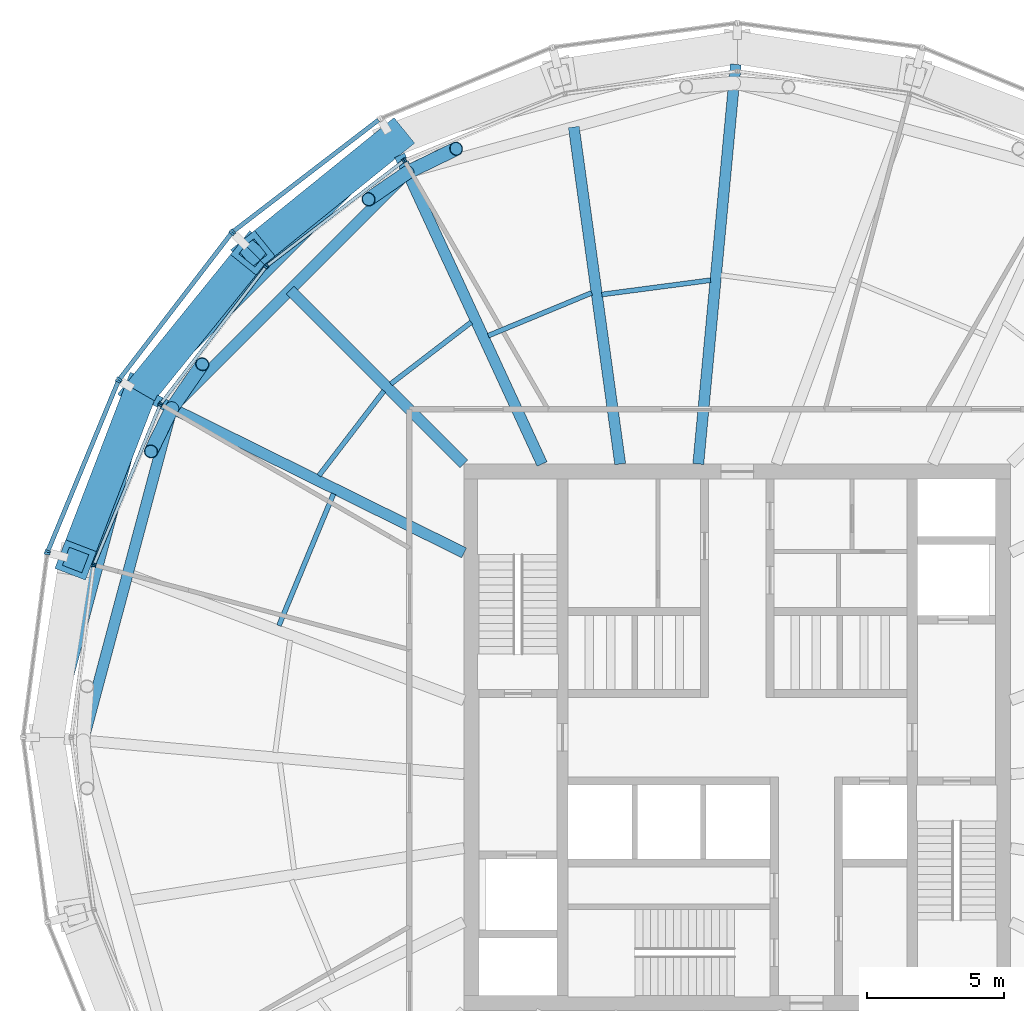
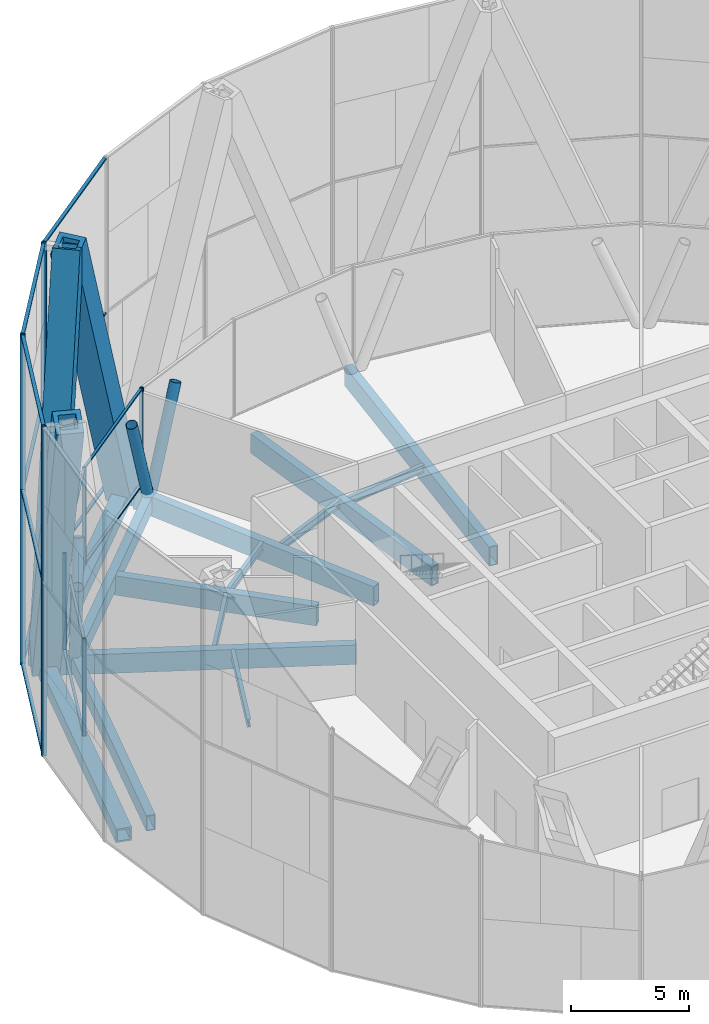
# One storey, part 6 of 17: 36 members, 14 beams, 9 elements without a shape of their own.
"""IFC4 building model written with IfcOpenShell, lengths in metres."""

from ifc_helpers import new_model, si_unit, direction, frame, origin, origin_2d, place, context, subcontext, project, spatial, rectangle, hollow_rectangle, hollow_circle, i_section, extrude, material, material_profile, profile_set, type_object, element, aggregate, save


model = new_model("IFC4")

# Units and contexts
model_context = context("Model", 3, precision=1e-05, world=origin(), true_north=direction((0.0, 1.0)))
body_context = subcontext(model_context, "Body", "Model", "MODEL_VIEW")
ifc_project = project(units=[si_unit("LENGTHUNIT", "METRE"), si_unit("AREAUNIT", "SQUARE_METRE"), si_unit("VOLUMEUNIT", "CUBIC_METRE"), si_unit("PLANEANGLEUNIT", "RADIAN"), si_unit("MASSUNIT", "GRAM", prefix="KILO")], contexts=[model_context])

# Site, building, storey
site_placement = place(None, origin())
site = spatial("IfcSite", under=ifc_project, at=site_placement, CompositionType="ELEMENT")
building_placement = place(site_placement, origin())
building = spatial("IfcBuilding", under=site, at=building_placement, Name="Golbaran Civic Tower", CompositionType="ELEMENT")
storey_placement = place(building_placement, frame((0.0, 0.0, 150.0)))
storey = spatial("IfcBuildingStorey", under=building, at=storey_placement, Name="L36", CompositionType="ELEMENT", Elevation=150.0)

# Members
ifc_material_1 = material(Name="Steel S355", Category="steel")
ifc_material_profile_1 = material_profile(ifc_material_1, hollow_circle(Radius=0.25390625, WallThickness=0.02490234375, at=origin_2d()), Name="CHS 508.0x25")
ifc_profile_set_1 = profile_set([ifc_material_profile_1], Name="Steel S355")
member_type_1 = type_object("IfcMemberType", Name="BELT TRUSS DIAGONAL CHS 508.0x25", PredefinedType="BRACE", material=ifc_profile_set_1)
member_1_placement = place(storey_placement, frame((-12.068603515625, 20.66552734375, -0.60009765625), z_axis=(-0.269161972985, -0.18559394057, 0.945043237912), x_axis=(0.567660393907, -0.823262823884, 0.0)))
element("IfcMember", 1, at=member_1_placement, inside=storey, type_object=member_type_1, Name="Belt truss diagonal 120.00R L36", PredefinedType="BRACE", context=body_context, shape_type="SweptSolid", body=[
    extrude(hollow_circle(Radius=0.25390625, WallThickness=0.02490234375, at=origin_2d()), origin(), (0.0, 0.0, 1.0), 5.290771484375),
])
member_2_placement = place(storey_placement, frame((-12.068603515625, 20.66552734375, -0.60009765625), z_axis=(0.331275116984, 0.161325262505, 0.929640229629), x_axis=(-0.437826456737, 0.899059505139, 0.0)))
element("IfcMember", 2, at=member_2_placement, inside=storey, type_object=member_type_1, Name="Belt truss diagonal 120.00L L36", PredefinedType="BRACE", context=body_context, shape_type="SweptSolid", body=[
    extrude(hollow_circle(Radius=0.25390625, WallThickness=0.02490234375, at=origin_2d()), origin(), (0.0, 0.0, 1.0), 5.37841796875),
])
member_3_placement = place(storey_placement, frame((-20.683349609375, 12.037841796875, -0.60009765625), z_axis=(-0.144666349872, -0.297948179816, 0.943556320184), x_axis=(0.89956906414, -0.436778546683, 0.0)))
element("IfcMember", 3, at=member_3_placement, inside=storey, type_object=member_type_1, Name="Belt truss diagonal 150.00R L36", PredefinedType="BRACE", context=body_context, shape_type="SweptSolid", body=[
    extrude(hollow_circle(Radius=0.25390625, WallThickness=0.02490234375, at=origin_2d()), origin(), (0.0, 0.0, 1.0), 5.299072265625),
])
member_4_placement = place(storey_placement, frame((-20.683349609375, 12.037841796875, -0.60009765625), z_axis=(0.206640802217, 0.300481641772, 0.931133911861), x_axis=(-0.823965525405, 0.56663993236, 0.0)))
element("IfcMember", 4, at=member_4_placement, inside=storey, type_object=member_type_1, Name="Belt truss diagonal 150.00L L36", PredefinedType="BRACE", context=body_context, shape_type="SweptSolid", body=[
    extrude(hollow_circle(Radius=0.25390625, WallThickness=0.02490234375, at=origin_2d()), origin(), (0.0, 0.0, 1.0), 5.369873046875),
])
ifc_material_profile_2 = material_profile(ifc_material_1, hollow_rectangle(XDim=1.199951171875, YDim=1.199951171875, WallThickness=0.219970703125, at=origin_2d()), Name="BOX 1200x1200x220")
ifc_profile_set_2 = profile_set([ifc_material_profile_2], Name="Steel S355")
member_type_2 = type_object("IfcMemberType", Name="DIAGRID DIAGONAL BOX 1200x1200x220", PredefinedType="BRACE", material=ifc_profile_set_2)
for number, where, z_axis, x_axis, name in (
    (5, (-12.616943359375, 21.853271484375, -0.7099609375), (-0.280131041779, -0.22667961159, 0.932814533078), (0.629042080003, -0.77737125081, 0.0), "Diagonal D08-04R L36-L40"),
    (6, (-21.853271484375, 12.616943359375, -0.7099609375), (-0.129261656788, -0.336369669426, 0.932816632342), (0.933449046665, -0.358710018371, 0.0), "Diagonal D08-05R L36-L40"),
    (7, (-21.853271484375, 12.616943359375, -0.7099609375), (0.22667961159, 0.280131041779, 0.932814533078), (-0.77737125081, 0.629042080003, 0.0), "Diagonal D08-05L L36-L40"),
):
    element("IfcMember", number, at=place(storey_placement, frame(where, z_axis=z_axis, x_axis=x_axis)), inside=storey, type_object=member_type_2, Name=name, PredefinedType="BRACE", context=body_context, shape_type="SweptSolid", body=[
        extrude(hollow_rectangle(XDim=1.199951171875, YDim=1.199951171875, WallThickness=0.219970703125, at=origin_2d()), origin(), (0.0, 0.0, 1.0), 18.224365234375),
    ])

# Beams
ifc_material_profile_3 = material_profile(ifc_material_1, hollow_rectangle(XDim=0.699951171875, YDim=0.699951171875, WallThickness=0.080078125, at=origin_2d()), Name="BOX 700x700x80")
ifc_profile_set_3 = profile_set([ifc_material_profile_3], Name="Steel S355")
beam_type_1 = type_object("IfcBeamType", Name="DIAGRID RING TIE BOX 700x700x80", PredefinedType="BEAM", material=ifc_profile_set_3)
beam_1_placement = place(storey_placement, frame((-12.616943359375, 21.853271484375, -0.7099609375), z_axis=(-0.707106781187, -0.707106781187, 0.0), x_axis=(0.707106781187, -0.707106781187, 0.0)))
element("IfcBeam", 8, at=beam_1_placement, inside=storey, type_object=beam_type_1, Name="Ring tie 120.00 L36", PredefinedType="BEAM", context=body_context, shape_type="SweptSolid", body=[
    extrude(hollow_rectangle(XDim=0.699951171875, YDim=0.699951171875, WallThickness=0.080078125, at=origin_2d()), origin(), (0.0, 0.0, 1.0), 13.062255859375),
])
beam_2_placement = place(storey_placement, frame((-21.853271484375, 12.616943359375, -0.7099609375), z_axis=(-0.258813005749, -0.965927444509, 0.0), x_axis=(0.965927444509, -0.258813005749, 0.0)))
element("IfcBeam", 9, at=beam_2_placement, inside=storey, type_object=beam_type_1, Name="Ring tie 150.00 L36", PredefinedType="BEAM", context=body_context, shape_type="SweptSolid", body=[
    extrude(hollow_rectangle(XDim=0.699951171875, YDim=0.699951171875, WallThickness=0.080078125, at=origin_2d()), origin(), (0.0, 0.0, 1.0), 13.06201171875),
])
ifc_material_profile_4 = material_profile(ifc_material_1, hollow_rectangle(XDim=0.39990234375, YDim=0.800048828125, WallThickness=0.0400390625, at=origin_2d()), Name="BOX 800x400x40")
ifc_profile_set_4 = profile_set([ifc_material_profile_4], Name="Steel S355")
beam_type_2 = type_object("IfcBeamType", Name="EDGE BEAM BOX 800x400x40", PredefinedType="BEAM", material=ifc_profile_set_4)
beam_3_placement = place(storey_placement, frame((-12.2041015625, 20.52978515625, -0.60009765625), z_axis=(-0.706589807333, -0.707623377351, 0.0), x_axis=(0.707623377351, -0.706589807333, 0.0)))
element("IfcBeam", 10, at=beam_3_placement, inside=storey, type_object=beam_type_2, Name="Edge beam 120.00 L36", PredefinedType="BEAM", context=body_context, shape_type="SweptSolid", body=[
    extrude(hollow_rectangle(XDim=0.39990234375, YDim=0.800048828125, WallThickness=0.0400390625, at=origin_2d()), origin(), (0.0, 0.0, 1.0), 11.810546875),
])
beam_4_placement = place(storey_placement, frame((-20.73095703125, 11.860595703125, -0.60009765625), z_axis=(-0.25816151872, -0.966101770132, 0.0), x_axis=(0.966101770132, -0.25816151872, 0.0)))
element("IfcBeam", 11, at=beam_4_placement, inside=storey, type_object=beam_type_2, Name="Edge beam 150.00 L36", PredefinedType="BEAM", context=body_context, shape_type="SweptSolid", body=[
    extrude(hollow_rectangle(XDim=0.39990234375, YDim=0.800048828125, WallThickness=0.0400390625, at=origin_2d()), origin(), (0.0, 0.0, 1.0), 12.213623046875),
])
ifc_material_profile_5 = material_profile(ifc_material_1, i_section(OverallWidth=0.179931640625, OverallDepth=0.39990234375, WebThickness=0.008544921875, FlangeThickness=0.013427734375, FilletRadius=0.02099609375, at=origin_2d()), Name="IPE 400")
ifc_profile_set_5 = profile_set([ifc_material_profile_5], Name="Steel S355")
beam_type_3 = type_object("IfcBeamType", Name="FLOOR INFILL BEAM IPE 400", PredefinedType="BEAM", material=ifc_profile_set_5)
beam_5_placement = place(storey_placement, frame((-0.978759765625, 16.724365234375, -0.39990234375), z_axis=(-0.991442282273, -0.13054578094, 0.0), x_axis=(0.13054578094, -0.991442282273, 0.0)))
element("IfcBeam", 12, at=beam_5_placement, inside=storey, type_object=beam_type_3, Name="Infill beam 97.50 L36", PredefinedType="BEAM", context=body_context, shape_type="SweptSolid", body=[
    extrude(i_section(OverallWidth=0.179931640625, OverallDepth=0.39990234375, WebThickness=0.008544921875, FlangeThickness=0.013427734375, FilletRadius=0.02099609375, at=origin_2d()), origin(), (0.0, 0.0, 1.0), 4.013427734375),
])
beam_6_placement = place(storey_placement, frame((-5.329345703125, 16.2607421875, -0.39990234375), z_axis=(-0.923884573814, -0.382671261358, 0.0), x_axis=(0.382671261358, -0.923884573814, 0.0)))
element("IfcBeam", 13, at=beam_6_placement, inside=storey, type_object=beam_type_3, Name="Infill beam 112.50 L36", PredefinedType="BEAM", context=body_context, shape_type="SweptSolid", body=[
    extrude(i_section(OverallWidth=0.179931640625, OverallDepth=0.39990234375, WebThickness=0.008544921875, FlangeThickness=0.013427734375, FilletRadius=0.02099609375, at=origin_2d()), origin(), (0.0, 0.0, 1.0), 4.0947265625),
])
beam_7_placement = place(storey_placement, frame((-9.73583984375, 15.185546875, -0.39990234375), z_axis=(-0.793365568043, -0.608745493161, 0.0), x_axis=(0.608745493161, -0.793365568043, 0.0)))
element("IfcBeam", 14, at=beam_7_placement, inside=storey, type_object=beam_type_3, Name="Infill beam 127.50 L36", PredefinedType="BEAM", context=body_context, shape_type="SweptSolid", body=[
    extrude(i_section(OverallWidth=0.179931640625, OverallDepth=0.39990234375, WebThickness=0.008544921875, FlangeThickness=0.013427734375, FilletRadius=0.02099609375, at=origin_2d()), origin(), (0.0, 0.0, 1.0), 3.705322265625),
])
beam_8_placement = place(storey_placement, frame((-12.928466796875, 12.673828125, -0.39990234375), z_axis=(-0.608749219954, -0.793362708479, 0.0), x_axis=(0.793362708479, -0.608749219954, 0.0)))
element("IfcBeam", 15, at=beam_8_placement, inside=storey, type_object=beam_type_3, Name="Infill beam 142.50 L36", PredefinedType="BEAM", context=body_context, shape_type="SweptSolid", body=[
    extrude(i_section(OverallWidth=0.179931640625, OverallDepth=0.39990234375, WebThickness=0.008544921875, FlangeThickness=0.013427734375, FilletRadius=0.02099609375, at=origin_2d()), origin(), (0.0, 0.0, 1.0), 3.90380859375),
])
beam_9_placement = place(storey_placement, frame((-14.77197265625, 8.9111328125, -0.39990234375), z_axis=(-0.382675323855, -0.923882891125, 0.0), x_axis=(0.923882891125, -0.382675323855, 0.0)))
element("IfcBeam", 16, at=beam_9_placement, inside=storey, type_object=beam_type_3, Name="Infill beam 157.50 L36", PredefinedType="BEAM", context=body_context, shape_type="SweptSolid", body=[
    extrude(i_section(OverallWidth=0.179931640625, OverallDepth=0.39990234375, WebThickness=0.008544921875, FlangeThickness=0.013427734375, FilletRadius=0.02099609375, at=origin_2d()), origin(), (0.0, 0.0, 1.0), 5.220703125),
])

# Curtain wall, member
ifc_material_2 = material(Name="Aluminium and glass", Category="aluminium")
curtain_wall_type_1 = type_object("IfcCurtainWallType", Name="OUTER SKIN TERRACOTTA SCREEN", PredefinedType="NOTDEFINED", material=ifc_material_2)
curtain_wall_1_placement = place(storey_placement, origin())
curtain_wall_1 = element("IfcCurtainWall", 17, at=curtain_wall_1_placement, inside=storey, type_object=curtain_wall_type_1, Name="Outer skin L36 facet 9 CW3", ObjectType="OUTER SKIN", PredefinedType="USERDEFINED")
ifc_material_3 = material(Name="Aluminium", Category="aluminium")
ifc_material_profile_6 = material_profile(ifc_material_3, rectangle(XDim=0.219970703125, YDim=0.080078125, at=origin_2d()), Name="OUTER SKIN TERRACOTTA SCREEN MULLION")
ifc_profile_set_6 = profile_set([ifc_material_profile_6], Name="Aluminium")
member_type_3 = type_object("IfcMemberType", Name="OUTER SKIN TERRACOTTA SCREEN MULLION", PredefinedType="MULLION", material=ifc_profile_set_6)
member_5_placement = place(storey_placement, frame((-18.44775390625, 18.50390625, -0.7099609375), z_axis=(0.0, 0.0, 1.0), x_axis=(0.608761428981, -0.793353340312, 0.0)))
member_5 = element("IfcMember", 18, at=member_5_placement, type_object=member_type_3, Name="CW3 mullion 2", PredefinedType="MULLION", context=body_context, shape_type="SweptSolid", body=[
    extrude(rectangle(XDim=0.219970703125, YDim=0.080078125, at=origin_2d()), origin(), (0.0, 0.0, 1.0), 17.0),
])

# Curtain wall, members
curtain_wall_2_placement = place(storey_placement, origin())
curtain_wall_2 = element("IfcCurtainWall", 19, at=curtain_wall_2_placement, inside=storey, type_object=curtain_wall_type_1, Name="Outer skin L36 facet 10 CW3", ObjectType="OUTER SKIN", PredefinedType="USERDEFINED")
member_6_placement = place(storey_placement, frame((-18.50390625, 18.44775390625, -0.7099609375), z_axis=(0.0, 0.0, 1.0), x_axis=(0.793353340312, -0.608761428981, 0.0)))
member_6 = element("IfcMember", 20, at=member_6_placement, type_object=member_type_3, Name="CW3 mullion 1", PredefinedType="MULLION", context=body_context, shape_type="SweptSolid", body=[
    extrude(rectangle(XDim=0.219970703125, YDim=0.080078125, at=origin_2d()), origin(), (0.0, 0.0, 1.0), 17.0),
])
member_7_placement = place(storey_placement, frame((-22.6083984375, 13.0986328125, -0.7099609375), z_axis=(0.0, 0.0, 1.0), x_axis=(0.793353340312, -0.608761428981, 0.0)))
member_7 = element("IfcMember", 21, at=member_7_placement, type_object=member_type_3, Name="CW3 mullion 2", PredefinedType="MULLION", context=body_context, shape_type="SweptSolid", body=[
    extrude(rectangle(XDim=0.219970703125, YDim=0.080078125, at=origin_2d()), origin(), (0.0, 0.0, 1.0), 17.0),
])

curtain_wall_3_placement = place(storey_placement, origin())
curtain_wall_3 = element("IfcCurtainWall", 22, at=curtain_wall_3_placement, inside=storey, type_object=curtain_wall_type_1, Name="Outer skin L36 facet 11 CW3", ObjectType="OUTER SKIN", PredefinedType="USERDEFINED")
member_8_placement = place(storey_placement, frame((-22.64794921875, 13.030029296875, -0.7099609375), z_axis=(0.0, 0.0, 1.0), x_axis=(0.923879532545, -0.382683432284, 0.0)))
member_8 = element("IfcMember", 23, at=member_8_placement, type_object=member_type_3, Name="CW3 mullion 1", PredefinedType="MULLION", context=body_context, shape_type="SweptSolid", body=[
    extrude(rectangle(XDim=0.219970703125, YDim=0.080078125, at=origin_2d()), origin(), (0.0, 0.0, 1.0), 17.0),
])
member_9_placement = place(storey_placement, frame((-25.228271484375, 6.801025390625, -0.7099609375), z_axis=(0.0, 0.0, 1.0), x_axis=(0.923879532545, -0.382683432284, 0.0)))
member_9 = element("IfcMember", 24, at=member_9_placement, type_object=member_type_3, Name="CW3 mullion 2", PredefinedType="MULLION", context=body_context, shape_type="SweptSolid", body=[
    extrude(rectangle(XDim=0.219970703125, YDim=0.080078125, at=origin_2d()), origin(), (0.0, 0.0, 1.0), 17.0),
])

# Curtain wall, member
curtain_wall_4_placement = place(storey_placement, origin())
curtain_wall_4 = element("IfcCurtainWall", 25, at=curtain_wall_4_placement, inside=storey, type_object=curtain_wall_type_1, Name="Outer skin L36 facet 12 CW3", ObjectType="OUTER SKIN", PredefinedType="USERDEFINED")
member_10_placement = place(storey_placement, frame((-25.248779296875, 6.724365234375, -0.7099609375), z_axis=(0.0, 0.0, 1.0), x_axis=(0.991444861369, -0.130526192255, 0.0)))
member_10 = element("IfcMember", 26, at=member_10_placement, type_object=member_type_3, Name="CW3 mullion 1", PredefinedType="MULLION", context=body_context, shape_type="SweptSolid", body=[
    extrude(rectangle(XDim=0.219970703125, YDim=0.080078125, at=origin_2d()), origin(), (0.0, 0.0, 1.0), 17.0),
])
aggregate(curtain_wall_4, [member_10])

# Member
ifc_material_profile_7 = material_profile(ifc_material_3, rectangle(XDim=0.159912109375, YDim=0.080078125, at=origin_2d()), Name="OUTER SKIN TERRACOTTA SCREEN TRANSOM")
ifc_profile_set_7 = profile_set([ifc_material_profile_7], Name="Aluminium")
member_type_4 = type_object("IfcMemberType", Name="OUTER SKIN TERRACOTTA SCREEN TRANSOM", PredefinedType="USERDEFINED", material=ifc_profile_set_7)
member_11_placement = place(storey_placement, frame((-13.13037109375, 22.583984375, -0.669921875), z_axis=(-0.793364477442, -0.608746914516, 0.0), x_axis=(0.608746914516, -0.793364477442, 0.0)))
member_11 = element("IfcMember", 27, at=member_11_placement, type_object=member_type_4, Name="CW3 transom 1.1", ObjectType="TRANSOM", PredefinedType="USERDEFINED", context=body_context, shape_type="SweptSolid", body=[
    extrude(rectangle(XDim=0.159912109375, YDim=0.080078125, at=origin_2d()), origin(), (0.0, 0.0, 1.0), 6.662353515625),
])

member_12_placement = place(storey_placement, frame((-13.13037109375, 22.583984375, 8.2900390625), z_axis=(-0.793364477442, -0.608746914516, 0.0), x_axis=(0.608746914516, -0.793364477442, 0.0)))
member_12 = element("IfcMember", 28, at=member_12_placement, type_object=member_type_4, Name="CW3 transom 1.2", ObjectType="TRANSOM", PredefinedType="USERDEFINED", context=body_context, shape_type="SweptSolid", body=[
    extrude(rectangle(XDim=0.159912109375, YDim=0.080078125, at=origin_2d()), origin(), (0.0, 0.0, 1.0), 6.662353515625),
])

member_13_placement = place(storey_placement, frame((-13.13037109375, 22.583984375, 16.25), z_axis=(-0.793364477442, -0.608746914516, 0.0), x_axis=(0.608746914516, -0.793364477442, 0.0)))
member_13 = element("IfcMember", 29, at=member_13_placement, type_object=member_type_4, Name="CW3 transom 1.3", ObjectType="TRANSOM", PredefinedType="USERDEFINED", context=body_context, shape_type="SweptSolid", body=[
    extrude(rectangle(XDim=0.159912109375, YDim=0.080078125, at=origin_2d()), origin(), (0.0, 0.0, 1.0), 6.662353515625),
])

aggregate(curtain_wall_1, [member_5, member_11, member_12, member_13])

member_14_placement = place(storey_placement, frame((-18.5283203125, 18.416015625, -0.669921875), z_axis=(-0.608746914516, -0.793364477442, 0.0), x_axis=(0.793364477442, -0.608746914516, 0.0)))
member_14 = element("IfcMember", 30, at=member_14_placement, type_object=member_type_4, Name="CW3 transom 1.1", ObjectType="TRANSOM", PredefinedType="USERDEFINED", context=body_context, shape_type="SweptSolid", body=[
    extrude(rectangle(XDim=0.159912109375, YDim=0.080078125, at=origin_2d()), origin(), (0.0, 0.0, 1.0), 6.662353515625),
])

member_15_placement = place(storey_placement, frame((-18.5283203125, 18.416015625, 8.2900390625), z_axis=(-0.608746914516, -0.793364477442, 0.0), x_axis=(0.793364477442, -0.608746914516, 0.0)))
member_15 = element("IfcMember", 31, at=member_15_placement, type_object=member_type_4, Name="CW3 transom 1.2", ObjectType="TRANSOM", PredefinedType="USERDEFINED", context=body_context, shape_type="SweptSolid", body=[
    extrude(rectangle(XDim=0.159912109375, YDim=0.080078125, at=origin_2d()), origin(), (0.0, 0.0, 1.0), 6.662353515625),
])

member_16_placement = place(storey_placement, frame((-18.5283203125, 18.416015625, 16.25), z_axis=(-0.608746914516, -0.793364477442, 0.0), x_axis=(0.793364477442, -0.608746914516, 0.0)))
member_16 = element("IfcMember", 32, at=member_16_placement, type_object=member_type_4, Name="CW3 transom 1.3", ObjectType="TRANSOM", PredefinedType="USERDEFINED", context=body_context, shape_type="SweptSolid", body=[
    extrude(rectangle(XDim=0.159912109375, YDim=0.080078125, at=origin_2d()), origin(), (0.0, 0.0, 1.0), 6.662353515625),
])

aggregate(curtain_wall_2, [member_6, member_7, member_14, member_15, member_16])

member_17_placement = place(storey_placement, frame((-22.663330078125, 12.9931640625, -0.669921875), z_axis=(-0.382678667632, -0.923881506114, 0.0), x_axis=(0.923881506114, -0.382678667632, 0.0)))
member_17 = element("IfcMember", 33, at=member_17_placement, type_object=member_type_4, Name="CW3 transom 1.1", ObjectType="TRANSOM", PredefinedType="USERDEFINED", context=body_context, shape_type="SweptSolid", body=[
    extrude(rectangle(XDim=0.159912109375, YDim=0.080078125, at=origin_2d()), origin(), (0.0, 0.0, 1.0), 6.662353515625),
])

member_18_placement = place(storey_placement, frame((-22.663330078125, 12.9931640625, 8.2900390625), z_axis=(-0.382678667632, -0.923881506114, 0.0), x_axis=(0.923881506114, -0.382678667632, 0.0)))
member_18 = element("IfcMember", 34, at=member_18_placement, type_object=member_type_4, Name="CW3 transom 1.2", ObjectType="TRANSOM", PredefinedType="USERDEFINED", context=body_context, shape_type="SweptSolid", body=[
    extrude(rectangle(XDim=0.159912109375, YDim=0.080078125, at=origin_2d()), origin(), (0.0, 0.0, 1.0), 6.662353515625),
])

member_19_placement = place(storey_placement, frame((-22.663330078125, 12.9931640625, 16.25), z_axis=(-0.382678667632, -0.923881506114, 0.0), x_axis=(0.923881506114, -0.382678667632, 0.0)))
member_19 = element("IfcMember", 35, at=member_19_placement, type_object=member_type_4, Name="CW3 transom 1.3", ObjectType="TRANSOM", PredefinedType="USERDEFINED", context=body_context, shape_type="SweptSolid", body=[
    extrude(rectangle(XDim=0.159912109375, YDim=0.080078125, at=origin_2d()), origin(), (0.0, 0.0, 1.0), 6.662353515625),
])

aggregate(curtain_wall_3, [member_8, member_9, member_17, member_18, member_19])

# Curtain wall, member
curtain_wall_type_2 = type_object("IfcCurtainWallType", Name="PLANT FLOOR LOUVRE WALL", PredefinedType="NOTDEFINED", material=ifc_material_2)
curtain_wall_5_placement = place(storey_placement, origin())
curtain_wall_5 = element("IfcCurtainWall", 36, at=curtain_wall_5_placement, inside=storey, type_object=curtain_wall_type_2, Name="Inner skin L36 facet 8 CW6", ObjectType="PLANT LOUVRE WALL", PredefinedType="USERDEFINED")
ifc_material_profile_8 = material_profile(ifc_material_3, rectangle(XDim=0.159912109375, YDim=0.070068359375, at=origin_2d()), Name="PLANT FLOOR LOUVRE WALL MULLION")
ifc_profile_set_8 = profile_set([ifc_material_profile_8], Name="Aluminium")
member_type_5 = type_object("IfcMemberType", Name="PLANT FLOOR LOUVRE WALL MULLION", PredefinedType="MULLION", material=ifc_profile_set_8)
member_20_placement = place(storey_placement, frame((-12.152587890625, 21.118408203125, 0.0), z_axis=(0.0, 0.0, 1.0), x_axis=(0.38268343243, -0.923879532485, 0.0)))
member_20 = element("IfcMember", 37, at=member_20_placement, type_object=member_type_5, Name="CW6 mullion 2", PredefinedType="MULLION", context=body_context, shape_type="SweptSolid", body=[
    extrude(rectangle(XDim=0.159912109375, YDim=0.070068359375, at=origin_2d()), origin(), (0.0, 0.0, 1.0), 5.0),
])
aggregate(curtain_wall_5, [member_20])

# Curtain wall, members
curtain_wall_6_placement = place(storey_placement, origin())
curtain_wall_6 = element("IfcCurtainWall", 38, at=curtain_wall_6_placement, inside=storey, type_object=curtain_wall_type_2, Name="Inner skin L36 facet 9 CW6", ObjectType="PLANT LOUVRE WALL", PredefinedType="USERDEFINED")
member_21_placement = place(storey_placement, frame((-12.212646484375, 21.083740234375, 0.0), z_axis=(0.0, 0.0, 1.0), x_axis=(0.608761428898, -0.793353340376, 0.0)))
member_21 = element("IfcMember", 39, at=member_21_placement, type_object=member_type_5, Name="CW6 mullion 1", PredefinedType="MULLION", context=body_context, shape_type="SweptSolid", body=[
    extrude(rectangle(XDim=0.159912109375, YDim=0.070068359375, at=origin_2d()), origin(), (0.0, 0.0, 1.0), 5.0),
])
member_22_placement = place(storey_placement, frame((-17.204345703125, 17.25341796875, 0.0), z_axis=(0.0, 0.0, 1.0), x_axis=(0.608761428898, -0.793353340376, 0.0)))
member_22 = element("IfcMember", 40, at=member_22_placement, type_object=member_type_5, Name="CW6 mullion 2", PredefinedType="MULLION", context=body_context, shape_type="SweptSolid", body=[
    extrude(rectangle(XDim=0.159912109375, YDim=0.070068359375, at=origin_2d()), origin(), (0.0, 0.0, 1.0), 5.0),
])

curtain_wall_7_placement = place(storey_placement, origin())
curtain_wall_7 = element("IfcCurtainWall", 41, at=curtain_wall_7_placement, inside=storey, type_object=curtain_wall_type_2, Name="Inner skin L36 facet 10 CW6", ObjectType="PLANT LOUVRE WALL", PredefinedType="USERDEFINED")
member_23_placement = place(storey_placement, frame((-17.25341796875, 17.204345703125, 0.0), z_axis=(0.0, 0.0, 1.0), x_axis=(0.793353340376, -0.608761428898, 0.0)))
member_23 = element("IfcMember", 42, at=member_23_placement, type_object=member_type_5, Name="CW6 mullion 1", PredefinedType="MULLION", context=body_context, shape_type="SweptSolid", body=[
    extrude(rectangle(XDim=0.159912109375, YDim=0.070068359375, at=origin_2d()), origin(), (0.0, 0.0, 1.0), 5.0),
])
member_24_placement = place(storey_placement, frame((-21.083740234375, 12.212646484375, 0.0), z_axis=(0.0, 0.0, 1.0), x_axis=(0.793353340376, -0.608761428898, 0.0)))
member_24 = element("IfcMember", 43, at=member_24_placement, type_object=member_type_5, Name="CW6 mullion 2", PredefinedType="MULLION", context=body_context, shape_type="SweptSolid", body=[
    extrude(rectangle(XDim=0.159912109375, YDim=0.070068359375, at=origin_2d()), origin(), (0.0, 0.0, 1.0), 5.0),
])

curtain_wall_8_placement = place(storey_placement, origin())
curtain_wall_8 = element("IfcCurtainWall", 44, at=curtain_wall_8_placement, inside=storey, type_object=curtain_wall_type_2, Name="Inner skin L36 facet 11 CW6", ObjectType="PLANT LOUVRE WALL", PredefinedType="USERDEFINED")
member_25_placement = place(storey_placement, frame((-21.118408203125, 12.152587890625, 0.0), z_axis=(0.0, 0.0, 1.0), x_axis=(0.923879532485, -0.38268343243, 0.0)))
member_25 = element("IfcMember", 45, at=member_25_placement, type_object=member_type_5, Name="CW6 mullion 1", PredefinedType="MULLION", context=body_context, shape_type="SweptSolid", body=[
    extrude(rectangle(XDim=0.159912109375, YDim=0.070068359375, at=origin_2d()), origin(), (0.0, 0.0, 1.0), 5.0),
])
member_26_placement = place(storey_placement, frame((-23.526123046875, 6.33984375, 0.0), z_axis=(0.0, 0.0, 1.0), x_axis=(0.923879532485, -0.38268343243, 0.0)))
member_26 = element("IfcMember", 46, at=member_26_placement, type_object=member_type_5, Name="CW6 mullion 2", PredefinedType="MULLION", context=body_context, shape_type="SweptSolid", body=[
    extrude(rectangle(XDim=0.159912109375, YDim=0.070068359375, at=origin_2d()), origin(), (0.0, 0.0, 1.0), 5.0),
])

# Curtain wall, member
curtain_wall_9_placement = place(storey_placement, origin())
curtain_wall_9 = element("IfcCurtainWall", 47, at=curtain_wall_9_placement, inside=storey, type_object=curtain_wall_type_2, Name="Inner skin L36 facet 12 CW6", ObjectType="PLANT LOUVRE WALL", PredefinedType="USERDEFINED")
member_27_placement = place(storey_placement, frame((-23.544189453125, 6.272705078125, 0.0), z_axis=(0.0, 0.0, 1.0), x_axis=(0.991444861381, -0.130526192168, 0.0)))
member_27 = element("IfcMember", 48, at=member_27_placement, type_object=member_type_5, Name="CW6 mullion 1", PredefinedType="MULLION", context=body_context, shape_type="SweptSolid", body=[
    extrude(rectangle(XDim=0.159912109375, YDim=0.070068359375, at=origin_2d()), origin(), (0.0, 0.0, 1.0), 5.0),
])
aggregate(curtain_wall_9, [member_27])

# Member
ifc_material_profile_9 = material_profile(ifc_material_3, rectangle(XDim=0.1201171875, YDim=0.070068359375, at=origin_2d()), Name="PLANT FLOOR LOUVRE WALL TRANSOM")
ifc_profile_set_9 = profile_set([ifc_material_profile_9], Name="Aluminium")
member_type_6 = type_object("IfcMemberType", Name="PLANT FLOOR LOUVRE WALL TRANSOM", PredefinedType="USERDEFINED", material=ifc_profile_set_9)
member_28_placement = place(storey_placement, frame((-12.240478515625, 21.0625, 0.034912109375), z_axis=(-0.79336441442, -0.608746996652, 0.0), x_axis=(0.608746996652, -0.79336441442, 0.0)))
member_28 = element("IfcMember", 49, at=member_28_placement, type_object=member_type_6, Name="CW6 transom 1.1", ObjectType="TRANSOM", PredefinedType="USERDEFINED", context=body_context, shape_type="SweptSolid", body=[
    extrude(rectangle(XDim=0.1201171875, YDim=0.070068359375, at=origin_2d()), origin(), (0.0, 0.0, 1.0), 6.221923828125),
])

member_29_placement = place(storey_placement, frame((-12.240478515625, 21.0625, 4.965087890625), z_axis=(-0.79336441442, -0.608746996652, 0.0), x_axis=(0.608746996652, -0.79336441442, 0.0)))
member_29 = element("IfcMember", 50, at=member_29_placement, type_object=member_type_6, Name="CW6 transom 1.2", ObjectType="TRANSOM", PredefinedType="USERDEFINED", context=body_context, shape_type="SweptSolid", body=[
    extrude(rectangle(XDim=0.1201171875, YDim=0.070068359375, at=origin_2d()), origin(), (0.0, 0.0, 1.0), 6.221923828125),
])

aggregate(curtain_wall_6, [member_21, member_22, member_28, member_29])

member_30_placement = place(storey_placement, frame((-17.27490234375, 17.1767578125, 0.034912109375), z_axis=(-0.608746996652, -0.79336441442, 0.0), x_axis=(0.79336441442, -0.608746996652, 0.0)))
member_30 = element("IfcMember", 51, at=member_30_placement, type_object=member_type_6, Name="CW6 transom 1.1", ObjectType="TRANSOM", PredefinedType="USERDEFINED", context=body_context, shape_type="SweptSolid", body=[
    extrude(rectangle(XDim=0.1201171875, YDim=0.070068359375, at=origin_2d()), origin(), (0.0, 0.0, 1.0), 6.221923828125),
])

member_31_placement = place(storey_placement, frame((-17.27490234375, 17.1767578125, 4.965087890625), z_axis=(-0.608746996652, -0.79336441442, 0.0), x_axis=(0.79336441442, -0.608746996652, 0.0)))
member_31 = element("IfcMember", 52, at=member_31_placement, type_object=member_type_6, Name="CW6 transom 1.2", ObjectType="TRANSOM", PredefinedType="USERDEFINED", context=body_context, shape_type="SweptSolid", body=[
    extrude(rectangle(XDim=0.1201171875, YDim=0.070068359375, at=origin_2d()), origin(), (0.0, 0.0, 1.0), 6.221923828125),
])

aggregate(curtain_wall_7, [member_23, member_24, member_30, member_31])

member_32_placement = place(storey_placement, frame((-21.1318359375, 12.120361328125, 0.034912109375), z_axis=(-0.382694875785, -0.923874792408, 0.0), x_axis=(0.923874792408, -0.382694875785, 0.0)))
member_32 = element("IfcMember", 53, at=member_32_placement, type_object=member_type_6, Name="CW6 transom 1.1", ObjectType="TRANSOM", PredefinedType="USERDEFINED", context=body_context, shape_type="SweptSolid", body=[
    extrude(rectangle(XDim=0.1201171875, YDim=0.070068359375, at=origin_2d()), origin(), (0.0, 0.0, 1.0), 6.221923828125),
])

member_33_placement = place(storey_placement, frame((-21.1318359375, 12.120361328125, 4.965087890625), z_axis=(-0.382694875785, -0.923874792408, 0.0), x_axis=(0.923874792408, -0.382694875785, 0.0)))
member_33 = element("IfcMember", 54, at=member_33_placement, type_object=member_type_6, Name="CW6 transom 1.2", ObjectType="TRANSOM", PredefinedType="USERDEFINED", context=body_context, shape_type="SweptSolid", body=[
    extrude(rectangle(XDim=0.1201171875, YDim=0.070068359375, at=origin_2d()), origin(), (0.0, 0.0, 1.0), 6.221923828125),
])

aggregate(curtain_wall_8, [member_25, member_26, member_32, member_33])

# Beams
ifc_material_profile_10 = material_profile(ifc_material_1, hollow_rectangle(XDim=0.39990234375, YDim=1.0, WallThickness=0.0400390625, at=origin_2d()), Name="BOX 1000x400x40")
ifc_profile_set_10 = profile_set([ifc_material_profile_10], Name="Steel S355")
beam_type_4 = type_object("IfcBeamType", Name="RADIAL FLOOR BEAM BOX 1000x400x40", PredefinedType="BEAM", material=ifc_profile_set_10)
beam_10_placement = place(storey_placement, frame((-1.428466796875, 10.0, -0.7099609375), z_axis=(0.093355647487, 0.995632825434, 0.0), x_axis=(-0.995632825434, 0.093355647487, 0.0)))
element("IfcBeam", 55, at=beam_10_placement, inside=storey, type_object=beam_type_4, Name="Radial beam 90.00 L36", PredefinedType="BEAM", context=body_context, shape_type="SweptSolid", body=[
    extrude(hollow_rectangle(XDim=0.39990234375, YDim=1.0, WallThickness=0.0400390625, at=origin_2d()), origin(), (0.0, 0.0, 1.0), 14.681640625),
])
beam_11_placement = place(storey_placement, frame((-7.142822265625, 10.0, -0.7099609375), z_axis=(-0.419266047451, 0.907863415638, 0.0), x_axis=(-0.907863415638, -0.419266047451, 0.0)))
element("IfcBeam", 56, at=beam_11_placement, inside=storey, type_object=beam_type_4, Name="Radial beam 120.00 L36", PredefinedType="BEAM", context=body_context, shape_type="SweptSolid", body=[
    extrude(hollow_rectangle(XDim=0.39990234375, YDim=1.0, WallThickness=0.0400390625, at=origin_2d()), origin(), (0.0, 0.0, 1.0), 12.4375),
])
beam_12_placement = place(storey_placement, frame((-10.0, 6.75, -0.7099609375), z_axis=(-0.896224207854, 0.443601363001, 0.0), x_axis=(-0.443601363001, -0.896224207854, 0.0)))
element("IfcBeam", 57, at=beam_12_placement, inside=storey, type_object=beam_type_4, Name="Radial beam 150.00 L36", PredefinedType="BEAM", context=body_context, shape_type="SweptSolid", body=[
    extrude(hollow_rectangle(XDim=0.39990234375, YDim=1.0, WallThickness=0.0400390625, at=origin_2d()), origin(), (0.0, 0.0, 1.0), 12.61083984375),
])
ifc_material_profile_11 = material_profile(ifc_material_1, hollow_rectangle(XDim=0.39990234375, YDim=1.0, WallThickness=0.0400390625, at=origin_2d()), Name="BOX 1000x400x40")
ifc_profile_set_11 = profile_set([ifc_material_profile_11], Name="Steel S355")
beam_type_5 = type_object("IfcBeamType", Name="SECONDARY FLOOR BEAM BOX 1000x400x40", PredefinedType="BEAM", material=ifc_profile_set_11)
beam_13_placement = place(storey_placement, frame((-4.28564453125, 10.0, -0.7099609375), z_axis=(-0.136396427761, 0.990654336534, 0.0), x_axis=(-0.990654336534, -0.136396427761, 0.0)))
element("IfcBeam", 58, at=beam_13_placement, inside=storey, type_object=beam_type_5, Name="Secondary beam 105.00 L36", PredefinedType="BEAM", context=body_context, shape_type="SweptSolid", body=[
    extrude(hollow_rectangle(XDim=0.39990234375, YDim=1.0, WallThickness=0.0400390625, at=origin_2d()), origin(), (0.0, 0.0, 1.0), 12.4453125),
])
beam_14_placement = place(storey_placement, frame((-10.0, 10.0, -0.7099609375), z_axis=(-0.707106781187, 0.707106781187, 0.0), x_axis=(-0.707106781187, -0.707106781187, 0.0)))
element("IfcBeam", 59, at=beam_14_placement, inside=storey, type_object=beam_type_5, Name="Secondary beam 135.00 L36", PredefinedType="BEAM", context=body_context, shape_type="SweptSolid", body=[
    extrude(hollow_rectangle(XDim=0.39990234375, YDim=1.0, WallThickness=0.0400390625, at=origin_2d()), origin(), (0.0, 0.0, 1.0), 9.0),
])

save(model, "model.ifc")
